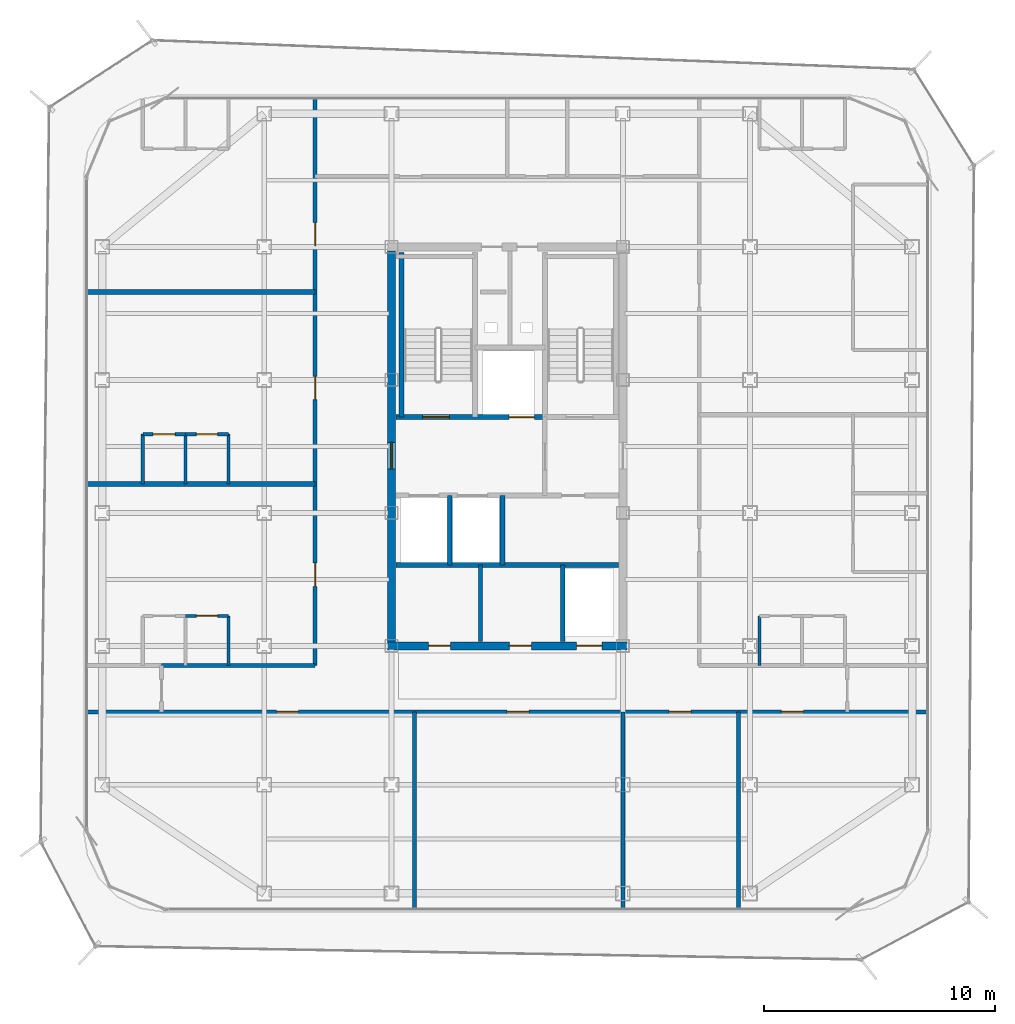
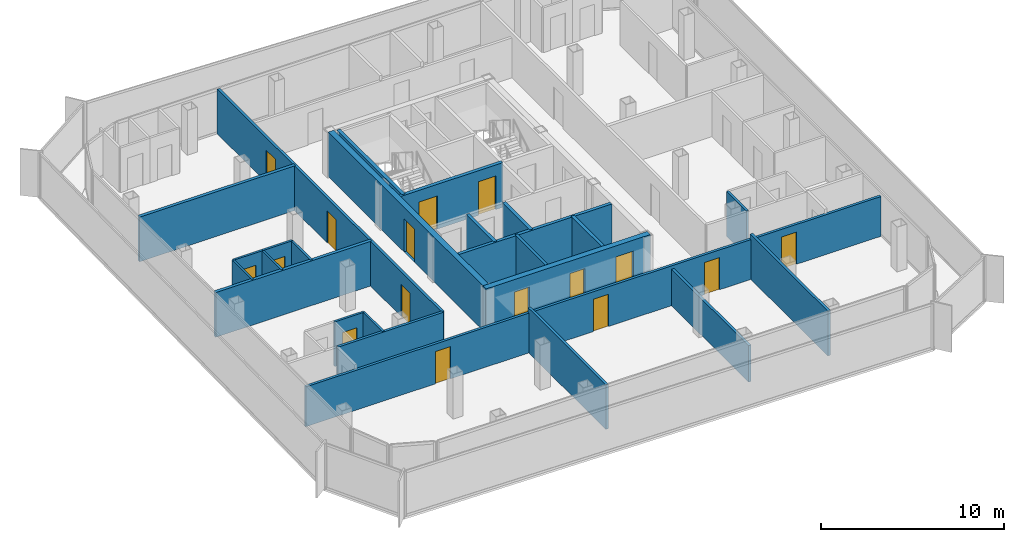
# One storey, part 10 of 15: 25 walls, 16 doors, 16 openings.
"""IFC4 building model written with IfcOpenShell, lengths in metres."""

from ifc_helpers import new_model, si_unit, direction, frame, frame_2d, origin, place, context, subcontext, project, spatial, rectangle, extrude, material, layer, layer_set, type_object, element, fill, save


model = new_model("IFC4")

# Units and contexts
model_context = context("Model", 3, precision=1e-05, world=origin(), true_north=direction((0.0, 1.0)))
body_context = subcontext(model_context, "Body", "Model", "MODEL_VIEW")
ifc_project = project(units=[si_unit("LENGTHUNIT", "METRE"), si_unit("AREAUNIT", "SQUARE_METRE"), si_unit("VOLUMEUNIT", "CUBIC_METRE"), si_unit("PLANEANGLEUNIT", "RADIAN"), si_unit("MASSUNIT", "GRAM", prefix="KILO")], contexts=[model_context])

# Site, building, storey
site_placement = place(None, origin())
site = spatial("IfcSite", under=ifc_project, at=site_placement, CompositionType="ELEMENT")
building_placement = place(site_placement, origin())
building = spatial("IfcBuilding", under=site, at=building_placement, Name="Kolveth Station Tower", CompositionType="ELEMENT")
storey_placement = place(building_placement, frame((0.0, 0.0, 229.699951171875)))
storey = spatial("IfcBuildingStorey", under=building, at=storey_placement, Name="L65", CompositionType="ELEMENT", Elevation=229.699951171875)

# Wall, openings, doors
ifc_material_1 = material(Name="Concrete C50/60", Category="concrete")
ifc_layer_1 = layer(ifc_material_1, 0.35009765625)
ifc_layer_set_1 = layer_set([ifc_layer_1], Name="Concrete C50/60")
wall_type_1 = type_object("IfcWallType", Name="Wall_CW-350", PredefinedType="SHEAR", material=ifc_layer_set_1)
wall_1_placement = place(storey_placement, frame((18.324951171875, 11.5, 0.0), z_axis=(0.0, 0.0, 1.0), x_axis=(1.0, 0.0, 0.0)))
wall_1 = element("IfcWall", 1, at=wall_1_placement, inside=storey, type_object=wall_type_1, Name="L65 Core RC Shear Wall S", PredefinedType="SHEAR", context=body_context, shape_type="SweptSolid", body=[
    extrude(rectangle(XDim=10.35009765625, YDim=0.35009765625, at=frame_2d((5.175048828125, 0.0))), origin(), (0.0, 0.0, 1.0), 2.97998046875),
])
opening_1_placement = place(wall_1_placement, frame((1.77490234375, 0.0, 0.0)))
opening_1 = element("IfcOpeningElement", 2, at=opening_1_placement, cuts=wall_1, Name="Opening ID1", PredefinedType="OPENING", context=body_context, shape_type="SweptSolid", body=[
    extrude(rectangle(XDim=0.949951171875, YDim=2.14990234375, at=frame_2d((0.47509765625, 1.074951171875))), frame((0.0, 0.18505859375, 0.0), z_axis=(0.0, -1.0, 0.0), x_axis=(1.0, 0.0, 0.0)), (0.0, 0.0, 1.0), 0.3701171875),
])
opening_2_placement = place(wall_1_placement, frame((5.27490234375, 0.0, 0.0)))
opening_2 = element("IfcOpeningElement", 3, at=opening_2_placement, cuts=wall_1, Name="Opening ID1", PredefinedType="OPENING", context=body_context, shape_type="SweptSolid", body=[
    extrude(rectangle(XDim=0.949951171875, YDim=2.14990234375, at=frame_2d((0.47509765625, 1.074951171875))), frame((0.0, 0.18505859375, 0.0), z_axis=(0.0, -1.0, 0.0), x_axis=(1.0, 0.0, 0.0)), (0.0, 0.0, 1.0), 0.3701171875),
])
opening_3_placement = place(wall_1_placement, frame((8.175048828125, 0.0, 0.0)))
opening_3 = element("IfcOpeningElement", 4, at=opening_3_placement, cuts=wall_1, Name="Opening LD1", PredefinedType="OPENING", context=body_context, shape_type="SweptSolid", body=[
    extrude(rectangle(XDim=1.10009765625, YDim=2.25, at=frame_2d((0.550048828125, 1.125))), frame((0.0, 0.18505859375, 0.0), z_axis=(0.0, -1.0, 0.0), x_axis=(1.0, 0.0, 0.0)), (0.0, 0.0, 1.0), 0.3701171875),
])
ifc_material_2 = material(Name="Acoustic hardwood leaf and aluminium frame", Category="wood")
door_type_1 = type_object("IfcDoorType", Name="Door_ID1", OperationType="NOTDEFINED", PredefinedType="DOOR", material=ifc_material_2)
door_1_placement = place(opening_1_placement, frame((0.949951171875, 0.0, 0.0), z_axis=(0.0, 0.0, 1.0), x_axis=(-1.0, 0.0, 0.0)))
door_1 = element("IfcDoor", 5, at=door_1_placement, inside=storey, type_object=door_type_1, Name="L65 Laundry Room Door", OperationType="SINGLE_SWING_LEFT", OverallHeight=2.14990234375, OverallWidth=0.949951171875, PredefinedType="DOOR", context=body_context, shape_type="SweptSolid", body=[
    extrude(rectangle(XDim=0.949951171875, YDim=2.14990234375, at=frame_2d((0.47509765625, 1.074951171875))), frame((0.0, 0.02490234375, 0.0), z_axis=(0.0, -1.0, 0.0), x_axis=(1.0, 0.0, 0.0)), (0.0, 0.0, 1.0), 0.050048828125),
])
fill(opening_1, door_1)
door_2_placement = place(opening_2_placement, frame((0.949951171875, 0.0, 0.0), z_axis=(0.0, 0.0, 1.0), x_axis=(-1.0, 0.0, 0.0)))
door_2 = element("IfcDoor", 6, at=door_2_placement, inside=storey, type_object=door_type_1, Name="L65 Parcel Room Door", OperationType="SINGLE_SWING_RIGHT", OverallHeight=2.14990234375, OverallWidth=0.949951171875, PredefinedType="DOOR", context=body_context, shape_type="SweptSolid", body=[
    extrude(rectangle(XDim=0.949951171875, YDim=2.14990234375, at=frame_2d((0.47509765625, 1.074951171875))), frame((0.0, 0.02490234375, 0.0), z_axis=(0.0, -1.0, 0.0), x_axis=(1.0, 0.0, 0.0)), (0.0, 0.0, 1.0), 0.050048828125),
])
fill(opening_2, door_2)
ifc_material_3 = material(Name="Brushed stainless steel sliding landing doors", Category="steel")
door_type_2 = type_object("IfcDoorType", Name="Door_LD1", OperationType="NOTDEFINED", PredefinedType="DOOR", material=ifc_material_3)
door_3_placement = place(opening_3_placement, frame((1.10009765625, 0.0, 0.0), z_axis=(0.0, 0.0, 1.0), x_axis=(-1.0, 0.0, 0.0)))
door_3 = element("IfcDoor", 7, at=door_3_placement, inside=storey, type_object=door_type_2, Name="L65 Lift PH1 Landing Door", OperationType="DOUBLE_DOOR_SLIDING", OverallHeight=2.25, OverallWidth=1.10009765625, PredefinedType="DOOR", context=body_context, shape_type="SweptSolid", body=[
    extrude(rectangle(XDim=1.10009765625, YDim=2.25, at=frame_2d((0.550048828125, 1.125))), frame((0.0, 0.02490234375, 0.0), z_axis=(0.0, -1.0, 0.0), x_axis=(1.0, 0.0, 0.0)), (0.0, 0.0, 1.0), 0.050048828125),
])
fill(opening_3, door_3)

# Wall, opening, door
wall_2_placement = place(storey_placement, frame((18.5, 11.675048828125, 0.0), z_axis=(0.0, 0.0, 1.0), x_axis=(0.0, 1.0, 0.0)))
wall_2 = element("IfcWall", 8, at=wall_2_placement, inside=storey, type_object=wall_type_1, Name="L65 Core RC Shear Wall W", PredefinedType="SHEAR", context=body_context, shape_type="SweptSolid", body=[
    extrude(rectangle(XDim=16.89990234375, YDim=0.35009765625, at=frame_2d((8.449951171875, 0.0))), origin(), (0.0, 0.0, 1.0), 2.97998046875),
])
opening_4_placement = place(wall_2_placement, frame((7.47509765625, 0.0, 0.0)))
opening_4 = element("IfcOpeningElement", 9, at=opening_4_placement, cuts=wall_2, Name="Opening FD1", PredefinedType="OPENING", context=body_context, shape_type="SweptSolid", body=[
    extrude(rectangle(XDim=1.14990234375, YDim=2.199951171875, at=frame_2d((0.574951171875, 1.10009765625))), frame((0.0, 0.18505859375, 0.0), z_axis=(0.0, -1.0, 0.0), x_axis=(1.0, 0.0, 0.0)), (0.0, 0.0, 1.0), 0.3701171875),
])
ifc_material_4 = material(Name="Fire-rated Steel S355 leaf and frame", Category="steel")
door_type_3 = type_object("IfcDoorType", Name="Door_FD1", OperationType="NOTDEFINED", PredefinedType="DOOR", material=ifc_material_4)
door_4_placement = place(opening_4_placement, frame((1.14990234375, 0.0, 0.0), z_axis=(0.0, 0.0, 1.0), x_axis=(-1.0, 0.0, 0.0)))
door_4 = element("IfcDoor", 10, at=door_4_placement, inside=storey, type_object=door_type_3, Name="L65 West Corridor to Firefighting Lobby Door", OperationType="SINGLE_SWING_LEFT", OverallHeight=2.199951171875, OverallWidth=1.14990234375, PredefinedType="DOOR", context=body_context, shape_type="SweptSolid", body=[
    extrude(rectangle(XDim=1.14990234375, YDim=2.199951171875, at=frame_2d((0.574951171875, 1.10009765625))), frame((0.0, 0.02490234375, 0.0), z_axis=(0.0, -1.0, 0.0), x_axis=(1.0, 0.0, 0.0)), (0.0, 0.0, 1.0), 0.050048828125),
])
fill(opening_4, door_4)

ifc_material_5 = material(Name="Moisture-resistant gypsum partition")
ifc_layer_2 = layer(ifc_material_5, 0.135009765625)
ifc_layer_set_2 = layer_set([ifc_layer_2], Name="Moisture-resistant gypsum partition")
wall_type_2 = type_object("IfcWallType", Name="Wall_IW-135", PredefinedType="PARTITIONING", material=ifc_layer_set_2)
wall_3_placement = place(storey_placement, frame((9.60009765625, 12.800048828125, 0.0), z_axis=(0.0, 0.0, 1.0), x_axis=(1.0, 0.0, 0.0)))
wall_3 = element("IfcWall", 11, at=wall_3_placement, inside=storey, type_object=wall_type_2, Name="L65 Partition Wall WL-L65-W1-IBHB", PredefinedType="PARTITIONING", context=body_context, shape_type="SweptSolid", body=[
    extrude(rectangle(XDim=1.849853515625, YDim=0.135009765625, at=frame_2d((0.9248046875, 0.0))), origin(), (0.0, 0.0, 1.0), 2.97998046875),
])
opening_5_placement = place(wall_3_placement, frame((0.465087890625, 0.0, 0.0)))
opening_5 = element("IfcOpeningElement", 12, at=opening_5_placement, cuts=wall_3, Name="Opening ID2", PredefinedType="OPENING", context=body_context, shape_type="SweptSolid", body=[
    extrude(rectangle(XDim=0.919921875, YDim=2.10009765625, at=frame_2d((0.4599609375, 1.050048828125))), frame((0.0, 0.077392578125, 0.0), z_axis=(0.0, -1.0, 0.0), x_axis=(1.0, 0.0, 0.0)), (0.0, 0.0, 1.0), 0.155029296875),
])
ifc_material_6 = material(Name="Moisture-resistant hardwood leaf", Category="wood")
door_type_4 = type_object("IfcDoorType", Name="Door_ID2", OperationType="NOTDEFINED", PredefinedType="DOOR", material=ifc_material_6)
door_5_placement = place(opening_5_placement, origin())
door_5 = element("IfcDoor", 13, at=door_5_placement, inside=storey, type_object=door_type_4, Name="Flat L65-W1 Bathroom Door", OperationType="SINGLE_SWING_RIGHT", OverallHeight=2.10009765625, OverallWidth=0.919921875, PredefinedType="DOOR", context=body_context, shape_type="SweptSolid", body=[
    extrude(rectangle(XDim=0.919921875, YDim=2.10009765625, at=frame_2d((0.4599609375, 1.050048828125))), frame((0.0, 0.02490234375, 0.0), z_axis=(0.0, -1.0, 0.0), x_axis=(1.0, 0.0, 0.0)), (0.0, 0.0, 1.0), 0.050048828125),
])
fill(opening_5, door_5)

# Wall
wall_4_placement = place(storey_placement, frame((11.449951171875, 10.64990234375, 0.0), z_axis=(0.0, 0.0, 1.0), x_axis=(0.0, 1.0, 0.0)))
element("IfcWall", 14, at=wall_4_placement, inside=storey, type_object=wall_type_2, Name="L65 Partition Wall WL-L65-W1-IBV2", PredefinedType="PARTITIONING", context=body_context, shape_type="SweptSolid", body=[
    extrude(rectangle(XDim=2.150146484375, YDim=0.135009765625, at=frame_2d((1.0751953125, 0.0))), origin(), (0.0, 0.0, 1.0), 2.97998046875),
])

# Wall, opening, door
wall_5_placement = place(storey_placement, frame((7.75, 20.64990234375, 0.0), z_axis=(0.0, 0.0, 1.0), x_axis=(1.0, 0.0, 0.0)))
wall_5 = element("IfcWall", 15, at=wall_5_placement, inside=storey, type_object=wall_type_2, Name="L65 Partition Wall WL-L65-W2-IBHK", PredefinedType="PARTITIONING", context=body_context, shape_type="SweptSolid", body=[
    extrude(rectangle(XDim=1.85009765625, YDim=0.135009765625, at=frame_2d((0.925048828125, 0.0))), origin(), (0.0, 0.0, 1.0), 2.97998046875),
])
opening_6_placement = place(wall_5_placement, frame((0.445068359375, 0.0, 0.0)))
opening_6 = element("IfcOpeningElement", 16, at=opening_6_placement, cuts=wall_5, Name="Opening ID1", PredefinedType="OPENING", context=body_context, shape_type="SweptSolid", body=[
    extrude(rectangle(XDim=0.949951171875, YDim=2.14990234375, at=frame_2d((0.47509765625, 1.074951171875))), frame((0.0, 0.077392578125, 0.0), z_axis=(0.0, -1.0, 0.0), x_axis=(1.0, 0.0, 0.0)), (0.0, 0.0, 1.0), 0.155029296875),
])
door_6_placement = place(opening_6_placement, origin())
door_6 = element("IfcDoor", 17, at=door_6_placement, inside=storey, type_object=door_type_1, Name="Flat L65-W2 Kitchen Door", OperationType="SINGLE_SWING_RIGHT", OverallHeight=2.14990234375, OverallWidth=0.949951171875, PredefinedType="DOOR", context=body_context, shape_type="SweptSolid", body=[
    extrude(rectangle(XDim=0.949951171875, YDim=2.14990234375, at=frame_2d((0.47509765625, 1.074951171875))), frame((0.0, 0.02490234375, 0.0), z_axis=(0.0, -1.0, 0.0), x_axis=(1.0, 0.0, 0.0)), (0.0, 0.0, 1.0), 0.050048828125),
])
fill(opening_6, door_6)

wall_6_placement = place(storey_placement, frame((9.60009765625, 20.64990234375, 0.0), z_axis=(0.0, 0.0, 1.0), x_axis=(1.0, 0.0, 0.0)))
wall_6 = element("IfcWall", 18, at=wall_6_placement, inside=storey, type_object=wall_type_2, Name="L65 Partition Wall WL-L65-W2-IBHB", PredefinedType="PARTITIONING", context=body_context, shape_type="SweptSolid", body=[
    extrude(rectangle(XDim=1.849853515625, YDim=0.135009765625, at=frame_2d((0.9248046875, 0.0))), origin(), (0.0, 0.0, 1.0), 2.97998046875),
])
opening_7_placement = place(wall_6_placement, frame((0.465087890625, 0.0, 0.0)))
opening_7 = element("IfcOpeningElement", 19, at=opening_7_placement, cuts=wall_6, Name="Opening ID2", PredefinedType="OPENING", context=body_context, shape_type="SweptSolid", body=[
    extrude(rectangle(XDim=0.919921875, YDim=2.10009765625, at=frame_2d((0.4599609375, 1.050048828125))), frame((0.0, 0.077392578125, 0.0), z_axis=(0.0, -1.0, 0.0), x_axis=(1.0, 0.0, 0.0)), (0.0, 0.0, 1.0), 0.155029296875),
])
door_7_placement = place(opening_7_placement, origin())
door_7 = element("IfcDoor", 20, at=door_7_placement, inside=storey, type_object=door_type_4, Name="Flat L65-W2 Bathroom Door", OperationType="SINGLE_SWING_LEFT", OverallHeight=2.10009765625, OverallWidth=0.919921875, PredefinedType="DOOR", context=body_context, shape_type="SweptSolid", body=[
    extrude(rectangle(XDim=0.919921875, YDim=2.10009765625, at=frame_2d((0.4599609375, 1.050048828125))), frame((0.0, 0.02490234375, 0.0), z_axis=(0.0, -1.0, 0.0), x_axis=(1.0, 0.0, 0.0)), (0.0, 0.0, 1.0), 0.050048828125),
])
fill(opening_7, door_7)

# Walls
for number, where, z_axis, x_axis, name in (
    (21, (7.75, 18.5, 0.0), (0.0, 0.0, 1.0), (0.0, 1.0, 0.0), "L65 Partition Wall WL-L65-W2-IBV0"),
    (22, (9.60009765625, 18.5, 0.0), (0.0, 0.0, 1.0), (0.0, 1.0, 0.0), "L65 Partition Wall WL-L65-W2-IBV1"),
    (23, (11.449951171875, 18.5, 0.0), (0.0, 0.0, 1.0), (0.0, 1.0, 0.0), "L65 Partition Wall WL-L65-W2-IBV2"),
):
    element("IfcWall", number, at=place(storey_placement, frame(where, z_axis=z_axis, x_axis=x_axis)), inside=storey, type_object=wall_type_2, Name=name, PredefinedType="PARTITIONING", context=body_context, shape_type="SweptSolid", body=[
        extrude(rectangle(XDim=2.14990234375, YDim=0.135009765625, at=frame_2d((1.074951171875, 0.0))), origin(), (0.0, 0.0, 1.0), 2.97998046875),
    ])
wall_7_placement = place(storey_placement, frame((34.39990234375, 10.64990234375, 0.0), z_axis=(0.0, 0.0, 1.0), x_axis=(0.0, 1.0, 0.0)))
element("IfcWall", 24, at=wall_7_placement, inside=storey, type_object=wall_type_2, Name="L65 Partition Wall WL-L65-E1-IBV0", PredefinedType="PARTITIONING", context=body_context, shape_type="SweptSolid", body=[
    extrude(rectangle(XDim=2.150146484375, YDim=0.135009765625, at=frame_2d((1.0751953125, 0.0))), origin(), (0.0, 0.0, 1.0), 2.97998046875),
])
ifc_material_7 = material(Name="Acoustic double-stud gypsum partition")
ifc_layer_3 = layer(ifc_material_7, 0.1650390625)
ifc_layer_set_3 = layer_set([ifc_layer_3], Name="Acoustic double-stud gypsum partition")
wall_type_3 = type_object("IfcWallType", Name="Wall_IW-165", PredefinedType="PARTITIONING", material=ifc_layer_set_3)
wall_8_placement = place(storey_placement, frame((22.35009765625, 11.68505859375, 0.0), z_axis=(0.0, 0.0, 1.0), x_axis=(0.0, 1.0, 0.0)))
element("IfcWall", 25, at=wall_8_placement, inside=storey, type_object=wall_type_3, Name="L65 Partition Wall WL-L65-FR-M", PredefinedType="PARTITIONING", context=body_context, shape_type="SweptSolid", body=[
    extrude(rectangle(XDim=3.31494140625, YDim=0.1650390625, at=frame_2d((1.657470703125, 0.0))), origin(), (0.0, 0.0, 1.0), 2.97998046875),
])

# Wall, openings, doors
wall_9_placement = place(storey_placement, frame((5.360107421875, 8.64990234375, 0.0), z_axis=(0.0, 0.0, 1.0), x_axis=(1.0, 0.0, 0.0)))
wall_9 = element("IfcWall", 26, at=wall_9_placement, inside=storey, type_object=wall_type_3, Name="L65 Partition Wall WL-L65-RS", PredefinedType="PARTITIONING", context=body_context, shape_type="SweptSolid", body=[
    extrude(rectangle(XDim=36.27978515625, YDim=0.1650390625, at=frame_2d((18.139892578125, 0.0))), origin(), (0.0, 0.0, 1.0), 2.655029296875),
])
opening_8_placement = place(wall_9_placement, frame((8.169921875, 0.0, 0.0)))
opening_8 = element("IfcOpeningElement", 27, at=opening_8_placement, cuts=wall_9, Name="Opening ID1", PredefinedType="OPENING", context=body_context, shape_type="SweptSolid", body=[
    extrude(rectangle(XDim=0.949951171875, YDim=2.14990234375, at=frame_2d((0.47509765625, 1.074951171875))), frame((0.0, 0.092529296875, 0.0), z_axis=(0.0, -1.0, 0.0), x_axis=(1.0, 0.0, 0.0)), (0.0, 0.0, 1.0), 0.18505859375),
])
opening_9_placement = place(wall_9_placement, frame((18.139892578125, 0.0, 0.0)))
opening_9 = element("IfcOpeningElement", 28, at=opening_9_placement, cuts=wall_9, Name="Opening ID1", PredefinedType="OPENING", context=body_context, shape_type="SweptSolid", body=[
    extrude(rectangle(XDim=0.949951171875, YDim=2.14990234375, at=frame_2d((0.47509765625, 1.074951171875))), frame((0.0, 0.092529296875, 0.0), z_axis=(0.0, -1.0, 0.0), x_axis=(1.0, 0.0, 0.0)), (0.0, 0.0, 1.0), 0.18505859375),
])
opening_10_placement = place(wall_9_placement, frame((25.139892578125, 0.0, 0.0)))
opening_10 = element("IfcOpeningElement", 29, at=opening_10_placement, cuts=wall_9, Name="Opening ID1", PredefinedType="OPENING", context=body_context, shape_type="SweptSolid", body=[
    extrude(rectangle(XDim=0.949951171875, YDim=2.14990234375, at=frame_2d((0.47509765625, 1.074951171875))), frame((0.0, 0.092529296875, 0.0), z_axis=(0.0, -1.0, 0.0), x_axis=(1.0, 0.0, 0.0)), (0.0, 0.0, 1.0), 0.18505859375),
])
opening_11_placement = place(wall_9_placement, frame((29.989990234375, 0.0, 0.0)))
opening_11 = element("IfcOpeningElement", 30, at=opening_11_placement, cuts=wall_9, Name="Opening ID1", PredefinedType="OPENING", context=body_context, shape_type="SweptSolid", body=[
    extrude(rectangle(XDim=0.949951171875, YDim=2.14990234375, at=frame_2d((0.47509765625, 1.074951171875))), frame((0.0, 0.092529296875, 0.0), z_axis=(0.0, -1.0, 0.0), x_axis=(1.0, 0.0, 0.0)), (0.0, 0.0, 1.0), 0.18505859375),
])
door_8_placement = place(opening_8_placement, frame((0.949951171875, 0.0, 0.0), z_axis=(0.0, 0.0, 1.0), x_axis=(-1.0, 0.0, 0.0)))
door_8 = element("IfcDoor", 31, at=door_8_placement, inside=storey, type_object=door_type_1, Name="L65 Residents' Fitness Gymnasium Door", OperationType="SINGLE_SWING_LEFT", OverallHeight=2.14990234375, OverallWidth=0.949951171875, PredefinedType="DOOR", context=body_context, shape_type="SweptSolid", body=[
    extrude(rectangle(XDim=0.949951171875, YDim=2.14990234375, at=frame_2d((0.47509765625, 1.074951171875))), frame((0.0, 0.02490234375, 0.0), z_axis=(0.0, -1.0, 0.0), x_axis=(1.0, 0.0, 0.0)), (0.0, 0.0, 1.0), 0.050048828125),
])
fill(opening_8, door_8)
door_9_placement = place(opening_9_placement, frame((0.949951171875, 0.0, 0.0), z_axis=(0.0, 0.0, 1.0), x_axis=(-1.0, 0.0, 0.0)))
door_9 = element("IfcDoor", 32, at=door_9_placement, inside=storey, type_object=door_type_1, Name="L65 Residents' Reading Library Door", OperationType="SINGLE_SWING_RIGHT", OverallHeight=2.14990234375, OverallWidth=0.949951171875, PredefinedType="DOOR", context=body_context, shape_type="SweptSolid", body=[
    extrude(rectangle(XDim=0.949951171875, YDim=2.14990234375, at=frame_2d((0.47509765625, 1.074951171875))), frame((0.0, 0.02490234375, 0.0), z_axis=(0.0, -1.0, 0.0), x_axis=(1.0, 0.0, 0.0)), (0.0, 0.0, 1.0), 0.050048828125),
])
fill(opening_9, door_9)
door_10_placement = place(opening_10_placement, frame((0.949951171875, 0.0, 0.0), z_axis=(0.0, 0.0, 1.0), x_axis=(-1.0, 0.0, 0.0)))
door_10 = element("IfcDoor", 33, at=door_10_placement, inside=storey, type_object=door_type_1, Name="L65 Residents' Pantry Door", OperationType="SINGLE_SWING_LEFT", OverallHeight=2.14990234375, OverallWidth=0.949951171875, PredefinedType="DOOR", context=body_context, shape_type="SweptSolid", body=[
    extrude(rectangle(XDim=0.949951171875, YDim=2.14990234375, at=frame_2d((0.47509765625, 1.074951171875))), frame((0.0, 0.02490234375, 0.0), z_axis=(0.0, -1.0, 0.0), x_axis=(1.0, 0.0, 0.0)), (0.0, 0.0, 1.0), 0.050048828125),
])
fill(opening_10, door_10)
door_11_placement = place(opening_11_placement, frame((0.949951171875, 0.0, 0.0), z_axis=(0.0, 0.0, 1.0), x_axis=(-1.0, 0.0, 0.0)))
door_11 = element("IfcDoor", 34, at=door_11_placement, inside=storey, type_object=door_type_1, Name="L65 Residents' Lounge Door", OperationType="SINGLE_SWING_RIGHT", OverallHeight=2.14990234375, OverallWidth=0.949951171875, PredefinedType="DOOR", context=body_context, shape_type="SweptSolid", body=[
    extrude(rectangle(XDim=0.949951171875, YDim=2.14990234375, at=frame_2d((0.47509765625, 1.074951171875))), frame((0.0, 0.02490234375, 0.0), z_axis=(0.0, -1.0, 0.0), x_axis=(1.0, 0.0, 0.0)), (0.0, 0.0, 1.0), 0.050048828125),
])
fill(opening_11, door_11)

# Wall
wall_10_placement = place(storey_placement, frame((8.56005859375, 10.64990234375, 0.0), z_axis=(0.0, 0.0, 1.0), x_axis=(1.0, 0.0, 0.0)))
element("IfcWall", 35, at=wall_10_placement, inside=storey, type_object=wall_type_3, Name="L65 Partition Wall WL-L65-RSWT", PredefinedType="PARTITIONING", context=body_context, shape_type="SweptSolid", body=[
    extrude(rectangle(XDim=6.639892578125, YDim=0.1650390625, at=frame_2d((3.31982421875, 0.0))), origin(), (0.0, 0.0, 1.0), 2.97998046875),
])

# Wall, openings, doors
wall_11_placement = place(storey_placement, frame((15.199951171875, 10.64990234375, 0.0), z_axis=(0.0, 0.0, 1.0), x_axis=(0.0, 1.0, 0.0)))
wall_11 = element("IfcWall", 36, at=wall_11_placement, inside=storey, type_object=wall_type_3, Name="L65 Partition Wall WL-L65-RW", PredefinedType="PARTITIONING", context=body_context, shape_type="SweptSolid", body=[
    extrude(rectangle(XDim=24.489990234375, YDim=0.1650390625, at=frame_2d((12.2451171875, 0.0))), origin(), (0.0, 0.0, 1.0), 2.97998046875),
])
opening_12_placement = place(wall_11_placement, frame((3.425048828125, 0.0, 0.0)))
opening_12 = element("IfcOpeningElement", 37, at=opening_12_placement, cuts=wall_11, Name="Opening FD3", PredefinedType="OPENING", context=body_context, shape_type="SweptSolid", body=[
    extrude(rectangle(XDim=1.0, YDim=2.14990234375, at=frame_2d((0.5, 1.074951171875))), frame((0.0, 0.092529296875, 0.0), z_axis=(0.0, -1.0, 0.0), x_axis=(1.0, 0.0, 0.0)), (0.0, 0.0, 1.0), 0.18505859375),
])
opening_13_placement = place(wall_11_placement, frame((11.5, 0.0, 0.0)))
opening_13 = element("IfcOpeningElement", 38, at=opening_13_placement, cuts=wall_11, Name="Opening FD3", PredefinedType="OPENING", context=body_context, shape_type="SweptSolid", body=[
    extrude(rectangle(XDim=1.0, YDim=2.14990234375, at=frame_2d((0.5, 1.074951171875))), frame((0.0, 0.092529296875, 0.0), z_axis=(0.0, -1.0, 0.0), x_axis=(1.0, 0.0, 0.0)), (0.0, 0.0, 1.0), 0.18505859375),
])
opening_14_placement = place(wall_11_placement, frame((18.14990234375, 0.0, 0.0)))
opening_14 = element("IfcOpeningElement", 39, at=opening_14_placement, cuts=wall_11, Name="Opening FD3", PredefinedType="OPENING", context=body_context, shape_type="SweptSolid", body=[
    extrude(rectangle(XDim=1.0, YDim=2.14990234375, at=frame_2d((0.5, 1.074951171875))), frame((0.0, 0.092529296875, 0.0), z_axis=(0.0, -1.0, 0.0), x_axis=(1.0, 0.0, 0.0)), (0.0, 0.0, 1.0), 0.18505859375),
])
ifc_material_8 = material(Name="Fire-rated hardwood leaf and aluminium frame", Category="wood")
door_type_5 = type_object("IfcDoorType", Name="Door_FD3", OperationType="NOTDEFINED", PredefinedType="DOOR", material=ifc_material_8)
door_12_placement = place(opening_12_placement, origin())
door_12 = element("IfcDoor", 40, at=door_12_placement, inside=storey, type_object=door_type_5, Name="Flat L65-W1 Entrance Door", OperationType="SINGLE_SWING_LEFT", OverallHeight=2.14990234375, OverallWidth=1.0, PredefinedType="DOOR", context=body_context, shape_type="SweptSolid", body=[
    extrude(rectangle(XDim=1.0, YDim=2.14990234375, at=frame_2d((0.5, 1.074951171875))), frame((0.0, 0.02490234375, 0.0), z_axis=(0.0, -1.0, 0.0), x_axis=(1.0, 0.0, 0.0)), (0.0, 0.0, 1.0), 0.050048828125),
])
fill(opening_12, door_12)
door_13_placement = place(opening_13_placement, origin())
door_13 = element("IfcDoor", 41, at=door_13_placement, inside=storey, type_object=door_type_5, Name="Flat L65-W2 Entrance Door", OperationType="SINGLE_SWING_RIGHT", OverallHeight=2.14990234375, OverallWidth=1.0, PredefinedType="DOOR", context=body_context, shape_type="SweptSolid", body=[
    extrude(rectangle(XDim=1.0, YDim=2.14990234375, at=frame_2d((0.5, 1.074951171875))), frame((0.0, 0.02490234375, 0.0), z_axis=(0.0, -1.0, 0.0), x_axis=(1.0, 0.0, 0.0)), (0.0, 0.0, 1.0), 0.050048828125),
])
fill(opening_13, door_13)
door_14_placement = place(opening_14_placement, origin())
door_14 = element("IfcDoor", 42, at=door_14_placement, inside=storey, type_object=door_type_5, Name="Flat L65-W3 Entrance Door", OperationType="SINGLE_SWING_LEFT", OverallHeight=2.14990234375, OverallWidth=1.0, PredefinedType="DOOR", context=body_context, shape_type="SweptSolid", body=[
    extrude(rectangle(XDim=1.0, YDim=2.14990234375, at=frame_2d((0.5, 1.074951171875))), frame((0.0, 0.02490234375, 0.0), z_axis=(0.0, -1.0, 0.0), x_axis=(1.0, 0.0, 0.0)), (0.0, 0.0, 1.0), 0.050048828125),
])
fill(opening_14, door_14)

# Walls
wall_12_placement = place(storey_placement, frame((19.5, 0.159912109375, 0.0), z_axis=(0.0, 0.0, 1.0), x_axis=(0.0, 1.0, 0.0)))
element("IfcWall", 43, at=wall_12_placement, inside=storey, type_object=wall_type_3, Name="L65 Partition Wall WL-L65-RSA-P1", PredefinedType="PARTITIONING", context=body_context, shape_type="SweptSolid", body=[
    extrude(rectangle(XDim=8.489990234375, YDim=0.1650390625, at=frame_2d((4.2451171875, 0.0))), origin(), (0.0, 0.0, 1.0), 2.97998046875),
])
wall_13_placement = place(storey_placement, frame((28.5, 0.159912109375, 0.0), z_axis=(0.0, 0.0, 1.0), x_axis=(0.0, 1.0, 0.0)))
element("IfcWall", 44, at=wall_13_placement, inside=storey, type_object=wall_type_3, Name="L65 Partition Wall WL-L65-RSA-P2", PredefinedType="PARTITIONING", context=body_context, shape_type="SweptSolid", body=[
    extrude(rectangle(XDim=8.489990234375, YDim=0.1650390625, at=frame_2d((4.2451171875, 0.0))), origin(), (0.0, 0.0, 1.0), 2.427978515625),
])
wall_14_placement = place(storey_placement, frame((33.5, 0.159912109375, 0.0), z_axis=(0.0, 0.0, 1.0), x_axis=(0.0, 1.0, 0.0)))
element("IfcWall", 45, at=wall_14_placement, inside=storey, type_object=wall_type_3, Name="L65 Partition Wall WL-L65-RSA-P3", PredefinedType="PARTITIONING", context=body_context, shape_type="SweptSolid", body=[
    extrude(rectangle(XDim=8.489990234375, YDim=0.1650390625, at=frame_2d((4.2451171875, 0.0))), origin(), (0.0, 0.0, 1.0), 2.97998046875),
])
ifc_material_9 = material(Name="Acoustic fire-rated gypsum blockwork", Category="masonry")
ifc_layer_4 = layer(ifc_material_9, 0.199951171875)
ifc_layer_set_4 = layer_set([ifc_layer_4], Name="Acoustic fire-rated gypsum blockwork")
wall_type_4 = type_object("IfcWallType", Name="Wall_IW-200", PredefinedType="PARTITIONING", material=ifc_layer_set_4)
for number, where, z_axis, x_axis, name in (
    (46, (21.02001953125, 15.0, 0.0), (0.0, 0.0, 1.0), (0.0, 1.0, 0.0), "L65 Partition Wall WL-L65-FF12"),
    (47, (23.300048828125, 15.0, 0.0), (0.0, 0.0, 1.0), (0.0, 1.0, 0.0), "L65 Partition Wall WL-L65-FF2E"),
):
    element("IfcWall", number, at=place(storey_placement, frame(where, z_axis=z_axis, x_axis=x_axis)), inside=storey, type_object=wall_type_4, Name=name, PredefinedType="PARTITIONING", context=body_context, shape_type="SweptSolid", body=[
        extrude(rectangle(XDim=3.0, YDim=0.199951171875, at=frame_2d((1.5, 0.0))), origin(), (0.0, 0.0, 1.0), 2.97998046875),
    ])
wall_15_placement = place(storey_placement, frame((18.68505859375, 15.0, 0.0), z_axis=(0.0, 0.0, 1.0), x_axis=(1.0, 0.0, 0.0)))
element("IfcWall", 48, at=wall_15_placement, inside=storey, type_object=wall_type_4, Name="L65 Partition Wall WL-L65-BOH-S", PredefinedType="PARTITIONING", context=body_context, shape_type="SweptSolid", body=[
    extrude(rectangle(XDim=9.6298828125, YDim=0.199951171875, at=frame_2d((4.81494140625, 0.0))), origin(), (0.0, 0.0, 1.0), 2.97998046875),
])
wall_16_placement = place(storey_placement, frame((25.89990234375, 11.68505859375, 0.0), z_axis=(0.0, 0.0, 1.0), x_axis=(0.0, 1.0, 0.0)))
element("IfcWall", 49, at=wall_16_placement, inside=storey, type_object=wall_type_4, Name="L65 Partition Wall WL-L65-PMPH", PredefinedType="PARTITIONING", context=body_context, shape_type="SweptSolid", body=[
    extrude(rectangle(XDim=3.31494140625, YDim=0.199951171875, at=frame_2d((1.657470703125, 0.0))), origin(), (0.0, 0.0, 1.0), 2.97998046875),
])
for number, where, z_axis, x_axis, name in (
    (50, (5.360107421875, 18.5, 0.0), (0.0, 0.0, 1.0), (1.0, 0.0, 0.0), "L65 Partition Wall WL-L65-RWU-1"),
    (51, (5.360107421875, 26.800048828125, 0.0), (0.0, 0.0, 1.0), (1.0, 0.0, 0.0), "L65 Partition Wall WL-L65-RWU-2"),
):
    element("IfcWall", number, at=place(storey_placement, frame(where, z_axis=z_axis, x_axis=x_axis)), inside=storey, type_object=wall_type_4, Name=name, PredefinedType="PARTITIONING", context=body_context, shape_type="SweptSolid", body=[
        extrude(rectangle(XDim=9.83984375, YDim=0.199951171875, at=frame_2d((4.919921875, 0.0))), origin(), (0.0, 0.0, 1.0), 2.97998046875),
    ])
ifc_material_10 = material(Name="Concrete C40/50", Category="concrete")
ifc_layer_5 = layer(ifc_material_10, 0.219970703125)
ifc_layer_set_5 = layer_set([ifc_layer_5], Name="Concrete C40/50")
wall_type_5 = type_object("IfcWallType", Name="Wall_IW-220", PredefinedType="SOLIDWALL", material=ifc_layer_set_5)
wall_17_placement = place(storey_placement, frame((18.929931640625, 21.389892578125, 0.0), z_axis=(0.0, 0.0, 1.0), x_axis=(0.0, 1.0, 0.0)))
element("IfcWall", 52, at=wall_17_placement, inside=storey, type_object=wall_type_5, Name="L65 Stair Shaft Wall WL-L65-ST1-W", PredefinedType="SOLIDWALL", context=body_context, shape_type="SweptSolid", body=[
    extrude(rectangle(XDim=7.110107421875, YDim=0.219970703125, at=frame_2d((3.55517578125, 0.0))), origin(), (0.0, 0.0, 1.0), 2.97998046875),
])

# Wall, openings, doors
wall_18_placement = place(storey_placement, frame((18.68505859375, 21.389892578125, 0.0), z_axis=(0.0, 0.0, 1.0), x_axis=(1.0, 0.0, 0.0)))
wall_18 = element("IfcWall", 53, at=wall_18_placement, inside=storey, type_object=wall_type_5, Name="L65 Stair Shaft Wall WL-L65-ST1-S", PredefinedType="SOLIDWALL", context=body_context, shape_type="SweptSolid", body=[
    extrude(rectangle(XDim=6.44482421875, YDim=0.219970703125, at=frame_2d((3.222412109375, 0.0))), origin(), (0.0, 0.0, 1.0), 2.97998046875),
])
opening_15_placement = place(wall_18_placement, frame((1.1650390625, 0.0, 0.0)))
opening_15 = element("IfcOpeningElement", 54, at=opening_15_placement, cuts=wall_18, Name="Opening FD1", PredefinedType="OPENING", context=body_context, shape_type="SweptSolid", body=[
    extrude(rectangle(XDim=1.14990234375, YDim=2.199951171875, at=frame_2d((0.574951171875, 1.10009765625))), frame((0.0, 0.119873046875, 0.0), z_axis=(0.0, -1.0, 0.0), x_axis=(1.0, 0.0, 0.0)), (0.0, 0.0, 1.0), 0.239990234375),
])
opening_16_placement = place(wall_18_placement, frame((4.89501953125, 0.0, 0.0)))
opening_16 = element("IfcOpeningElement", 55, at=opening_16_placement, cuts=wall_18, Name="Opening LD1", PredefinedType="OPENING", context=body_context, shape_type="SweptSolid", body=[
    extrude(rectangle(XDim=1.10009765625, YDim=2.25, at=frame_2d((0.550048828125, 1.125))), frame((0.0, 0.119873046875, 0.0), z_axis=(0.0, -1.0, 0.0), x_axis=(1.0, 0.0, 0.0)), (0.0, 0.0, 1.0), 0.239990234375),
])
door_15_placement = place(opening_15_placement, frame((1.14990234375, 0.0, 0.0), z_axis=(0.0, 0.0, 1.0), x_axis=(-1.0, 0.0, 0.0)))
door_15 = element("IfcDoor", 56, at=door_15_placement, inside=storey, type_object=door_type_3, Name="L65 Stair ST1 Fire Door", OperationType="SINGLE_SWING_LEFT", OverallHeight=2.199951171875, OverallWidth=1.14990234375, PredefinedType="DOOR", context=body_context, shape_type="SweptSolid", body=[
    extrude(rectangle(XDim=1.14990234375, YDim=2.199951171875, at=frame_2d((0.574951171875, 1.10009765625))), frame((0.0, 0.02490234375, 0.0), z_axis=(0.0, -1.0, 0.0), x_axis=(1.0, 0.0, 0.0)), (0.0, 0.0, 1.0), 0.050048828125),
])
fill(opening_15, door_15)
door_16_placement = place(opening_16_placement, frame((1.10009765625, 0.0, 0.0), z_axis=(0.0, 0.0, 1.0), x_axis=(-1.0, 0.0, 0.0)))
door_16 = element("IfcDoor", 57, at=door_16_placement, inside=storey, type_object=door_type_2, Name="L65 Service Lift SV1 Landing Door", OperationType="DOUBLE_DOOR_SLIDING", OverallHeight=2.25, OverallWidth=1.10009765625, PredefinedType="DOOR", context=body_context, shape_type="SweptSolid", body=[
    extrude(rectangle(XDim=1.10009765625, YDim=2.25, at=frame_2d((0.550048828125, 1.125))), frame((0.0, 0.02490234375, 0.0), z_axis=(0.0, -1.0, 0.0), x_axis=(1.0, 0.0, 0.0)), (0.0, 0.0, 1.0), 0.050048828125),
])
fill(opening_16, door_16)

save(model, "model.ifc")
